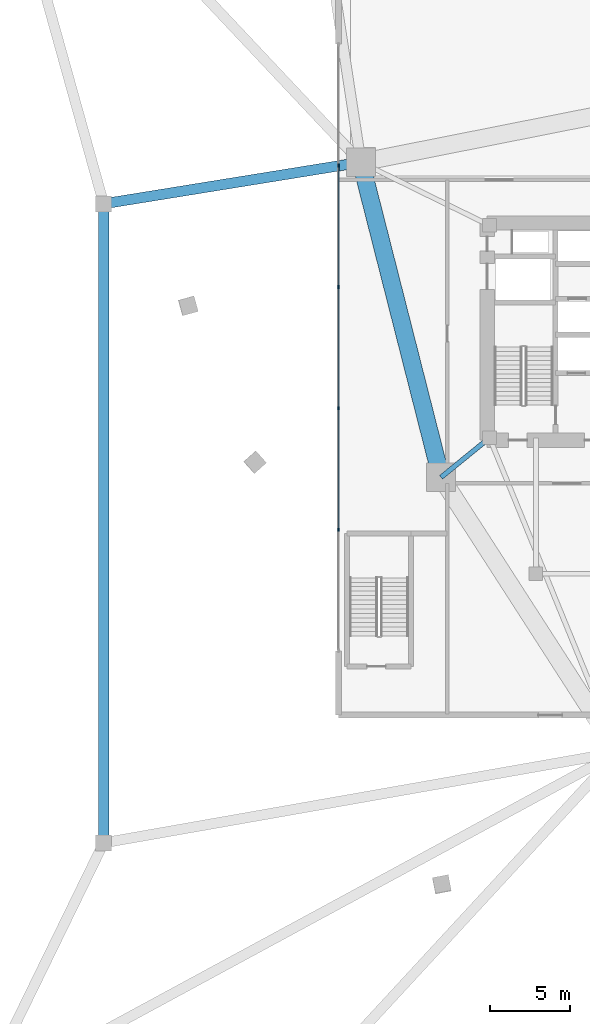
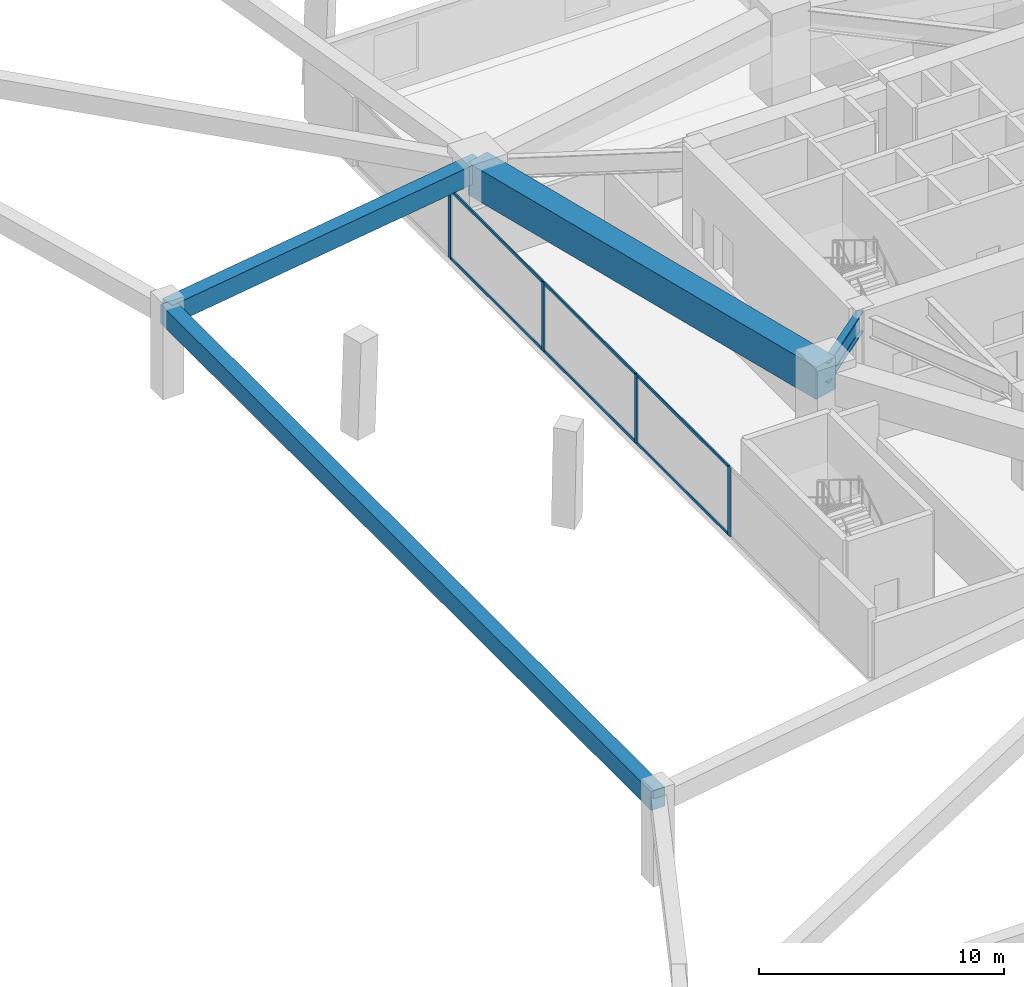
# One storey, part 5 of 15: 10 members, 4 beams, 1 element without a shape of its own.
"""IFC4 building model written with IfcOpenShell, lengths in metres."""

from ifc_helpers import new_model, si_unit, direction, frame, origin, origin_2d, place, context, subcontext, project, spatial, rectangle, i_section, extrude, material, layer, layer_set, material_profile, profile_set, type_object, element, aggregate, save


model = new_model("IFC4")

# Units and contexts
model_context = context("Model", 3, precision=1e-05, world=origin(), true_north=direction((0.0, 1.0)))
body_context = subcontext(model_context, "Body", "Model", "MODEL_VIEW")
ifc_project = project(units=[si_unit("LENGTHUNIT", "METRE"), si_unit("AREAUNIT", "SQUARE_METRE"), si_unit("VOLUMEUNIT", "CUBIC_METRE"), si_unit("PLANEANGLEUNIT", "RADIAN"), si_unit("MASSUNIT", "GRAM", prefix="KILO")], contexts=[model_context])

# Site, building, storey
site_placement = place(None, origin())
site = spatial("IfcSite", under=ifc_project, at=site_placement, CompositionType="ELEMENT")
building_placement = place(site_placement, origin())
building = spatial("IfcBuilding", under=site, at=building_placement, Name="Talyreon Biosciences Tower", CompositionType="ELEMENT")
storey_placement = place(building_placement, frame((0.0, 0.0, 5.39990234375)))
storey = spatial("IfcBuildingStorey", under=building, at=storey_placement, Name="L01", CompositionType="ELEMENT", Elevation=5.39990234375)

# Curtain wall, members
ifc_material_1 = material(Name="Thermally broken aluminium and low-E glazing", Category="aluminium")
ifc_layer = layer(ifc_material_1, 0.219970703125)
ifc_layer_set = layer_set([ifc_layer], Name="Thermally broken aluminium and low-E glazing")
curtain_wall_type = type_object("IfcCurtainWallType", Name="CurtainWall_PodiumDoubleHeight", PredefinedType="NOTDEFINED", material=ifc_layer_set)
curtain_wall_placement = place(storey_placement, origin())
curtain_wall = element("IfcCurtainWall", 1, at=curtain_wall_placement, inside=storey, type_object=curtain_wall_type, Name="L01 Unitised Curtain Wall FCW-L01-W", PredefinedType="NOTDEFINED")
ifc_material_2 = material(Name="Anodised thermally broken aluminium", Category="aluminium")
ifc_material_profile_1 = material_profile(ifc_material_2, rectangle(XDim=0.074951171875, YDim=0.2099609375, at=origin_2d()), Name="ALUM MULLION 75x210")
ifc_profile_set_1 = profile_set([ifc_material_profile_1], Name="Anodised thermally broken aluminium")
member_type_1 = type_object("IfcMemberType", Name="CWMullion_75x210", PredefinedType="MULLION", material=ifc_profile_set_1)
member_1_placement = place(storey_placement, frame((48.5, 55.60009765625, 0.0), z_axis=(0.0, 0.0, 1.0), x_axis=(-1.0, 0.0, 0.0)))
member_1 = element("IfcMember", 2, at=member_1_placement, type_object=member_type_1, Name="CW1 mullion 2", PredefinedType="MULLION", context=body_context, shape_type="SweptSolid", body=[
    extrude(rectangle(XDim=0.074951171875, YDim=0.2099609375, at=origin_2d()), origin(), (0.0, 0.0, 1.0), 3.43017578125),
])
member_2_placement = place(storey_placement, frame((48.5, 63.199951171875, 0.0), z_axis=(0.0, 0.0, 1.0), x_axis=(-1.0, 0.0, 0.0)))
member_2 = element("IfcMember", 3, at=member_2_placement, type_object=member_type_1, Name="CW1 mullion 3", PredefinedType="MULLION", context=body_context, shape_type="SweptSolid", body=[
    extrude(rectangle(XDim=0.074951171875, YDim=0.2099609375, at=origin_2d()), origin(), (0.0, 0.0, 1.0), 3.43017578125),
])
member_3_placement = place(storey_placement, frame((48.5, 70.800048828125, 0.0), z_axis=(0.0, 0.0, 1.0), x_axis=(-1.0, 0.0, 0.0)))
member_3 = element("IfcMember", 4, at=member_3_placement, type_object=member_type_1, Name="CW1 mullion 4", PredefinedType="MULLION", context=body_context, shape_type="SweptSolid", body=[
    extrude(rectangle(XDim=0.074951171875, YDim=0.2099609375, at=origin_2d()), origin(), (0.0, 0.0, 1.0), 3.43017578125),
])
member_4_placement = place(storey_placement, frame((48.5, 78.39990234375, 0.0), z_axis=(0.0, 0.0, 1.0), x_axis=(-1.0, 0.0, 0.0)))
member_4 = element("IfcMember", 5, at=member_4_placement, type_object=member_type_1, Name="CW1 mullion 5", PredefinedType="MULLION", context=body_context, shape_type="SweptSolid", body=[
    extrude(rectangle(XDim=0.074951171875, YDim=0.2099609375, at=origin_2d()), origin(), (0.0, 0.0, 1.0), 3.43017578125),
])
ifc_material_profile_2 = material_profile(ifc_material_2, rectangle(XDim=0.06494140625, YDim=0.139892578125, at=origin_2d()), Name="ALUM TRANSOM 65x140")
ifc_profile_set_2 = profile_set([ifc_material_profile_2], Name="Anodised thermally broken aluminium")
member_type_2 = type_object("IfcMemberType", Name="CWTransom_65x140", PredefinedType="USERDEFINED", material=ifc_profile_set_2)
member_5_placement = place(storey_placement, frame((48.5, 55.637451171875, 0.03271484375), z_axis=(0.0, 1.0, 0.0), x_axis=(-1.0, 0.0, 0.0)))
member_5 = element("IfcMember", 6, at=member_5_placement, type_object=member_type_2, Name="CW1 transom 2.1", ObjectType="TRANSOM", PredefinedType="USERDEFINED", context=body_context, shape_type="SweptSolid", body=[
    extrude(rectangle(XDim=0.06494140625, YDim=0.139892578125, at=origin_2d()), origin(), (0.0, 0.0, 1.0), 7.525146484375),
])
member_6_placement = place(storey_placement, frame((48.5, 55.637451171875, 3.397705078125), z_axis=(0.0, 1.0, 0.0), x_axis=(-1.0, 0.0, 0.0)))
member_6 = element("IfcMember", 7, at=member_6_placement, type_object=member_type_2, Name="CW1 transom 2.2", ObjectType="TRANSOM", PredefinedType="USERDEFINED", context=body_context, shape_type="SweptSolid", body=[
    extrude(rectangle(XDim=0.06494140625, YDim=0.139892578125, at=origin_2d()), origin(), (0.0, 0.0, 1.0), 7.525146484375),
])
member_7_placement = place(storey_placement, frame((48.5, 63.237548828125, 0.03271484375), z_axis=(0.0, 1.0, 0.0), x_axis=(-1.0, 0.0, 0.0)))
member_7 = element("IfcMember", 8, at=member_7_placement, type_object=member_type_2, Name="CW1 transom 3.1", ObjectType="TRANSOM", PredefinedType="USERDEFINED", context=body_context, shape_type="SweptSolid", body=[
    extrude(rectangle(XDim=0.06494140625, YDim=0.139892578125, at=origin_2d()), origin(), (0.0, 0.0, 1.0), 7.52490234375),
])
member_8_placement = place(storey_placement, frame((48.5, 63.237548828125, 3.397705078125), z_axis=(0.0, 1.0, 0.0), x_axis=(-1.0, 0.0, 0.0)))
member_8 = element("IfcMember", 9, at=member_8_placement, type_object=member_type_2, Name="CW1 transom 3.2", ObjectType="TRANSOM", PredefinedType="USERDEFINED", context=body_context, shape_type="SweptSolid", body=[
    extrude(rectangle(XDim=0.06494140625, YDim=0.139892578125, at=origin_2d()), origin(), (0.0, 0.0, 1.0), 7.52490234375),
])
member_9_placement = place(storey_placement, frame((48.5, 70.83740234375, 0.03271484375), z_axis=(0.0, 1.0, 0.0), x_axis=(-1.0, 0.0, 0.0)))
member_9 = element("IfcMember", 10, at=member_9_placement, type_object=member_type_2, Name="CW1 transom 4.1", ObjectType="TRANSOM", PredefinedType="USERDEFINED", context=body_context, shape_type="SweptSolid", body=[
    extrude(rectangle(XDim=0.06494140625, YDim=0.139892578125, at=origin_2d()), origin(), (0.0, 0.0, 1.0), 7.525146484375),
])
member_10_placement = place(storey_placement, frame((48.5, 70.83740234375, 3.397705078125), z_axis=(0.0, 1.0, 0.0), x_axis=(-1.0, 0.0, 0.0)))
member_10 = element("IfcMember", 11, at=member_10_placement, type_object=member_type_2, Name="CW1 transom 4.2", ObjectType="TRANSOM", PredefinedType="USERDEFINED", context=body_context, shape_type="SweptSolid", body=[
    extrude(rectangle(XDim=0.06494140625, YDim=0.139892578125, at=origin_2d()), origin(), (0.0, 0.0, 1.0), 7.525146484375),
])
aggregate(curtain_wall, [member_1, member_2, member_3, member_4, member_5, member_6, member_7, member_8, member_9, member_10])

# Beams
ifc_material_3 = material(Name="Concrete C50/60", Category="concrete")
ifc_material_profile_3 = material_profile(ifc_material_3, rectangle(XDim=0.64990234375, YDim=0.949951171875, at=origin_2d()), Name="RCB 650x950")
ifc_profile_set_3 = profile_set([ifc_material_profile_3], Name="Concrete C50/60")
beam_type_1 = type_object("IfcBeamType", Name="PodiumGirder_650x950", PredefinedType="T_BEAM", material=ifc_profile_set_3)
beam_1_placement = place(storey_placement, frame((33.800048828125, 76.0, 3.925048828125), z_axis=(0.0, -1.0, 0.0), x_axis=(1.0, 0.0, 0.0)))
element("IfcBeam", 12, at=beam_1_placement, inside=storey, type_object=beam_type_1, Name="L01 Podium Perimeter Ring Girder 13", PredefinedType="T_BEAM", context=body_context, shape_type="SweptSolid", body=[
    extrude(rectangle(XDim=0.64990234375, YDim=0.949951171875, at=origin_2d()), origin(), (0.0, 0.0, 1.0), 40.0),
])
beam_2_placement = place(storey_placement, frame((49.897705078125, 78.5986328125, 3.925048828125), z_axis=(-0.987219548989, -0.159366125932, 0.0), x_axis=(0.159366125932, -0.987219548989, 0.0)))
element("IfcBeam", 13, at=beam_2_placement, inside=storey, type_object=beam_type_1, Name="L01 Podium Radial Tie Girder PDC13", PredefinedType="T_BEAM", context=body_context, shape_type="SweptSolid", body=[
    extrude(rectangle(XDim=0.64990234375, YDim=0.949951171875, at=origin_2d()), origin(), (0.0, 0.0, 1.0), 16.30615234375),
])
ifc_material_4 = material(Name="Steel SM420", Category="steel")
ifc_material_profile_4 = material_profile(ifc_material_4, i_section(OverallWidth=0.302001953125, OverallDepth=1.008056640625, WebThickness=0.02099609375, FlangeThickness=0.0400390625, FilletRadius=0.030029296875, at=origin_2d()), Name="HE1000M")
ifc_profile_set_4 = profile_set([ifc_material_profile_4], Name="Steel SM420")
beam_type_2 = type_object("IfcBeamType", Name="SteelGirder_HE1000M", PredefinedType="BEAM", material=ifc_profile_set_4)
beam_3_placement = place(storey_placement, frame((57.949951171875, 61.35009765625, 3.89599609375), z_axis=(-0.775755154013, -0.631034025249, 0.0), x_axis=(0.631034025249, -0.775755154013, 0.0)))
element("IfcBeam", 14, at=beam_3_placement, inside=storey, type_object=beam_type_2, Name="L01 Radial Primary Girder 6", PredefinedType="BEAM", context=body_context, shape_type="SweptSolid", body=[
    extrude(i_section(OverallWidth=0.302001953125, OverallDepth=1.008056640625, WebThickness=0.02099609375, FlangeThickness=0.0400390625, FilletRadius=0.030029296875, at=origin_2d()), origin(), (0.0, 0.0, 1.0), 3.913818359375),
])
ifc_material_profile_5 = material_profile(ifc_material_3, rectangle(XDim=1.10009765625, YDim=1.60009765625, at=origin_2d()), Name="RCB 1100x1600")
ifc_profile_set_5 = profile_set([ifc_material_profile_5], Name="Concrete C50/60")
beam_type_3 = type_object("IfcBeamType", Name="TransferGirder_1100x1600", PredefinedType="T_BEAM", material=ifc_profile_set_5)
beam_4_placement = place(storey_placement, frame((49.897705078125, 78.5986328125, 3.60009765625), z_axis=(0.246537082299, -0.969133358755, 0.0), x_axis=(0.969133358755, 0.246537082299, 0.0)))
element("IfcBeam", 15, at=beam_4_placement, inside=storey, type_object=beam_type_3, Name="L01 Mega-Ring Girder 5", PredefinedType="T_BEAM", context=body_context, shape_type="SweptSolid", body=[
    extrude(rectangle(XDim=1.10009765625, YDim=1.60009765625, at=origin_2d()), origin(), (0.0, 0.0, 1.0), 20.34619140625),
])

save(model, "model.ifc")
